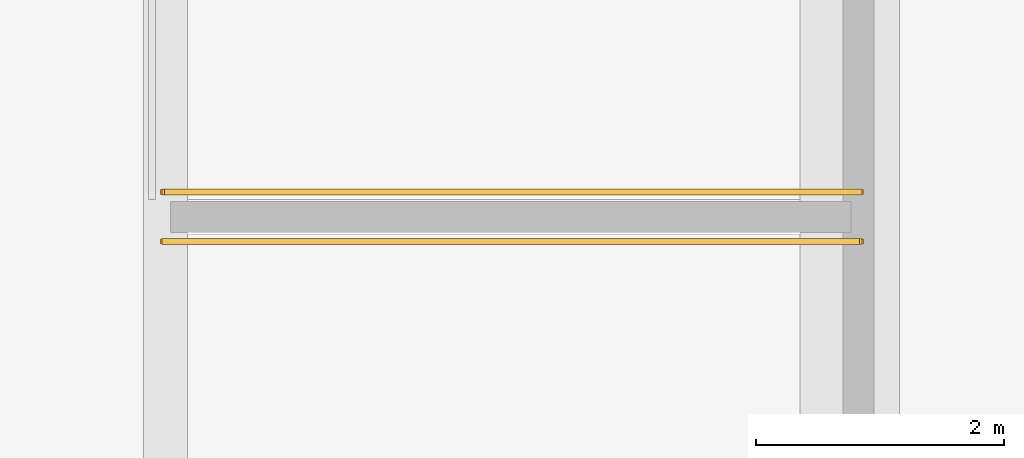
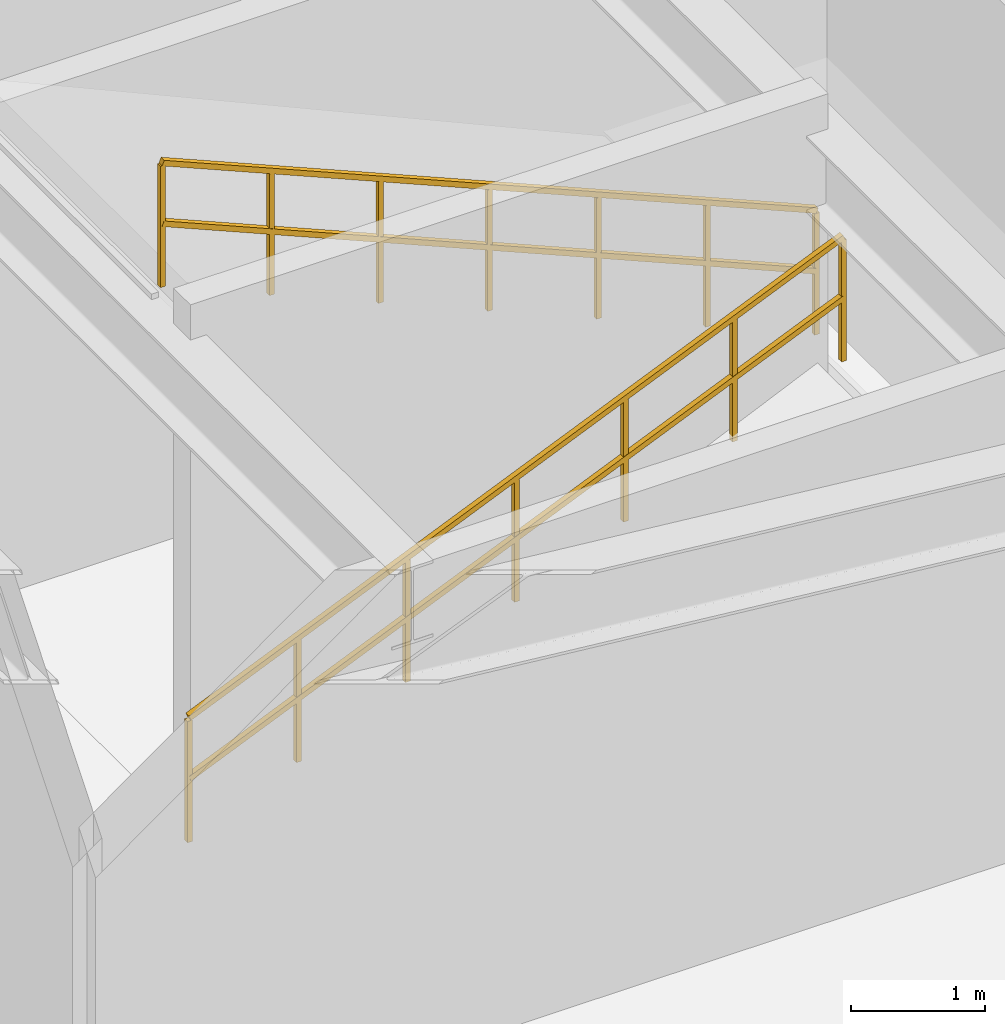
# One storey, part 11 of 12: 2 railings.
"""IFC4 building model written with IfcOpenShell, lengths in metres."""

import ifcopenshell
import ifcopenshell.guid

model = None  # the IFC model being written
_history = None  # IfcOwnerHistory: only IFC2X3 demands one
_inside = {}  # id of a spatial element -> (the spatial element, [elements in it])
_under = {}  # id of a project, library or spatial element -> (it, [spatial elements below it])
_declared = {}  # id of a project -> (the project, [libraries it declares])
_typed = {}  # id of a type object -> (the type object, [elements of that type])
_made_of = {}  # id of a material, layer set ... -> (it, [elements and type objects made of it])


def new_model(schema):
    """Start an empty IFC model of exactly this schema.

    Asked for "IFC4X3", IfcOpenShell would pick the latest addendum, in which some entities
    have other attributes; the version numbers below select the first issue.
    IFC2X3 requires an IfcOwnerHistory on every rooted entity: one is made here for all.
    """
    global model, _history
    if schema == "IFC4X3":
        model = ifcopenshell.file(schema_version=(4, 3, 0, 0))
    else:
        model = ifcopenshell.file(schema=schema)
    _inside.clear()
    _under.clear()
    _declared.clear()
    _typed.clear()
    _made_of.clear()
    _history = None
    if model.schema == "IFC2X3":
        org = make("IfcOrganization", Name="unknown")
        user = make(
            "IfcPersonAndOrganization",
            ThePerson=make("IfcPerson", FamilyName="unknown"),
            TheOrganization=org,
        )
        app = make(
            "IfcApplication",
            ApplicationDeveloper=org,
            Version="unknown",
            ApplicationFullName="unknown",
            ApplicationIdentifier="unknown",
        )
        _history = make(
            "IfcOwnerHistory",
            OwningUser=user,
            OwningApplication=app,
            ChangeAction="ADDED",
            CreationDate=0,
        )
    return model


def make(cls, **values):
    """One entity of the class cls with the attributes given. An attribute that is None is left unset."""
    return model.create_entity(
        cls, **{name: value for name, value in values.items() if value is not None}
    )


def rooted(cls, **values):
    """An entity with a GlobalId (a new one), such as an element, a storey or a relation."""
    return make(cls, GlobalId=ifcopenshell.guid.new(), OwnerHistory=_history, **values)


def si_unit(unit_type, name, prefix=None):
    """IfcSIUnit, for example si_unit("LENGTHUNIT", "METRE", prefix="MILLI")."""
    return make("IfcSIUnit", UnitType=unit_type, Prefix=prefix, Name=name)


def assignment(units):
    """IfcUnitAssignment: the units of a project."""
    return None if units is None else make("IfcUnitAssignment", Units=units)


def point(xyz):
    """IfcCartesianPoint."""
    return None if xyz is None else make("IfcCartesianPoint", Coordinates=xyz)


def direction(xyz):
    """IfcDirection."""
    return None if xyz is None else make("IfcDirection", DirectionRatios=xyz)


def frame(location, z_axis=None, x_axis=None):
    """IfcAxis2Placement3D, a coordinate frame: its origin and axes. An axis left out is left unset."""
    return make(
        "IfcAxis2Placement3D",
        Location=point(location),
        Axis=direction(z_axis),
        RefDirection=direction(x_axis),
    )


def frame_2d(location, x_axis=None):
    """IfcAxis2Placement2D, a coordinate frame in the plane: its origin and x axis."""
    return make(
        "IfcAxis2Placement2D", Location=point(location), RefDirection=direction(x_axis)
    )


def origin():
    """The frame at (0, 0, 0) with its axes left unset."""
    return frame((0.0, 0.0, 0.0))


def origin_2d():
    """The frame at (0, 0) in the plane with its x axis left unset."""
    return frame_2d((0.0, 0.0))


def place(relative_to, where):
    """IfcLocalPlacement: puts the frame where relative to a parent placement (None: the world)."""
    return make(
        "IfcLocalPlacement", PlacementRelTo=relative_to, RelativePlacement=where
    )


def context(
    kind, dimensions, precision=None, world=None, true_north=None, identifier=None
):
    """IfcGeometricRepresentationContext, for example the 3D "Model" context."""
    return make(
        "IfcGeometricRepresentationContext",
        ContextIdentifier=identifier,
        ContextType=kind,
        CoordinateSpaceDimension=dimensions,
        Precision=precision,
        WorldCoordinateSystem=world,
        TrueNorth=true_north,
    )


def subcontext(parent, identifier, kind, view, scale=None):
    """IfcGeometricRepresentationSubContext, for example "Body" below "Model"."""
    return make(
        "IfcGeometricRepresentationSubContext",
        ContextIdentifier=identifier,
        ContextType=kind,
        ParentContext=parent,
        TargetScale=scale,
        TargetView=view,
    )


def project(units=None, contexts=None):
    """IfcProject with its units and contexts."""
    return rooted(
        "IfcProject",
        Name="project",
        RepresentationContexts=contexts,
        UnitsInContext=assignment(units),
    )


def spatial(cls, under=None, at=None, **own):
    """A site, building, storey or space (cls), placed at a placement, below another one or the project."""
    s = rooted(cls, ObjectPlacement=at, **own)
    if under is not None:
        _under.setdefault(under.id(), (under, []))[1].append(s)
    return s


def profile(cls, at=None, kind="AREA", **sizes):
    """A parametric profile (cls). Its sizes go by their IFC names, for example OverallWidth=200.0."""
    return make(cls, ProfileType=kind, Position=at, **sizes)


def rectangle(**sizes):
    """IfcRectangleProfileDef."""
    return profile("IfcRectangleProfileDef", **sizes)


def extrude(swept, where, along, depth):
    """IfcExtrudedAreaSolid: the profile swept, set in the frame where, extruded along a direction by depth."""
    return make(
        "IfcExtrudedAreaSolid",
        SweptArea=swept,
        Position=where,
        ExtrudedDirection=direction(along),
        Depth=depth,
    )


def shape(context_of_items, identifier, shape_type, items):
    """IfcShapeRepresentation: the items that make up one representation, for example the "Body"."""
    return make(
        "IfcShapeRepresentation",
        ContextOfItems=context_of_items,
        RepresentationIdentifier=identifier,
        RepresentationType=shape_type,
        Items=items,
    )


def material(Name=None, Category=None):
    """IfcMaterial."""
    return make("IfcMaterial", Name=Name, Category=Category)


def made_of(thing, what):
    """Note that an element or type object is made of a material, layer set ...; save() writes the relation."""
    if what is not None:
        _made_of.setdefault(what.id(), (what, []))[1].append(thing)
    return thing


def type_object(cls, material=None, **own):
    """A type object (cls), such as IfcWallType, which elements share."""
    return made_of(rooted(cls, **own), material)


def element(
    cls,
    number,
    at=None,
    inside=None,
    cuts=None,
    type_object=None,
    material=None,
    context=None,
    identifier="Body",
    shape_type=None,
    held_by="IfcProductDefinitionShape",
    body=None,
    shapes=None,
    **own,
):
    """One element of the class cls, such as IfcWall. Its Tag is "e" and its number.

    at: its placement. inside: the storey or other place that contains it. cuts: it is an
    opening in that element (IfcRelVoidsElement). A single representation is given by context,
    identifier, shape_type and body (its items); several are given by shapes. held_by: the class
    of the entity that holds the representations. save() writes the other relations.
    """
    e = rooted(cls, Tag="e%d" % number, ObjectPlacement=at, **own)
    if body is not None:
        shapes = [shape(context, identifier, shape_type, body)]
    if shapes is not None:
        e.Representation = make(held_by, Representations=shapes)
    if inside is not None:
        _inside.setdefault(inside.id(), (inside, []))[1].append(e)
    if cuts is not None:
        rooted(
            "IfcRelVoidsElement", RelatingBuildingElement=cuts, RelatedOpeningElement=e
        )
    if type_object is not None:
        _typed.setdefault(type_object.id(), (type_object, []))[1].append(e)
    return made_of(e, material)


def aggregate(whole, parts):
    """IfcRelAggregates: a whole, such as a stair, and the parts it consists of."""
    return rooted("IfcRelAggregates", RelatingObject=whole, RelatedObjects=parts)


def save(model, path):
    """Write the relations noted so far, then the file.

    IfcRelAggregates (storeys below a building ...), IfcRelContainedInSpatialStructure (elements
    in a storey), IfcRelDefinesByType, IfcRelAssociatesMaterial and IfcRelDeclares: one each for
    every whole, place, type object, material and project.
    """
    for whole, parts in _under.values():
        aggregate(whole, parts)
    for where, things in _inside.values():
        rooted(
            "IfcRelContainedInSpatialStructure",
            RelatedElements=things,
            RelatingStructure=where,
        )
    for kind, things in _typed.values():
        rooted("IfcRelDefinesByType", RelatedObjects=things, RelatingType=kind)
    for what, things in _made_of.values():
        rooted("IfcRelAssociatesMaterial", RelatedObjects=things, RelatingMaterial=what)
    for by, libraries in _declared.values():
        rooted("IfcRelDeclares", RelatingContext=by, RelatedDefinitions=libraries)
    model.write(path)


model = new_model("IFC4")

# Units and contexts
model_context = context("Model", 3, precision=1e-05, world=origin(), true_north=direction((0.0, 1.0)))
body_context = subcontext(model_context, "Body", "Model", "MODEL_VIEW")
ifc_project = project(units=[si_unit("LENGTHUNIT", "METRE"), si_unit("AREAUNIT", "SQUARE_METRE"), si_unit("VOLUMEUNIT", "CUBIC_METRE"), si_unit("PLANEANGLEUNIT", "RADIAN"), si_unit("MASSUNIT", "GRAM", prefix="KILO")], contexts=[model_context])

# Site, building, storey
site_placement = place(None, origin())
site = spatial("IfcSite", under=ifc_project, at=site_placement, CompositionType="ELEMENT")
building_placement = place(site_placement, origin())
building = spatial("IfcBuilding", under=site, at=building_placement, Name="Varnel Quay Broadcast Tower", CompositionType="ELEMENT")
storey_placement = place(building_placement, frame((0.0, 0.0, -9.60009765625)))
storey = spatial("IfcBuildingStorey", under=building, at=storey_placement, Name="B2", CompositionType="ELEMENT", Elevation=-9.60009765625)

# Railings
ifc_material = material(Name="Anodised Bronze Aluminium 6063-T6", Category="aluminium")
railing_type = type_object("IfcRailingType", Name="Rail_Balustrade1150", PredefinedType="BALUSTRADE", material=ifc_material)
railing_1_placement = place(storey_placement, frame((60.02001953125, 30.219970703125, 4.800048828125)))
element("IfcRailing", 1, at=railing_1_placement, inside=storey, type_object=railing_type, Name="B2 Vehicle Ramp Upper Flight Guard", PredefinedType="BALUSTRADE", context=body_context, shape_type="SweptSolid", body=[
    extrude(rectangle(XDim=0.048095703125, YDim=0.048095703125, at=origin_2d()), frame((0.0, 0.0, 1.1259765625), z_axis=(0.919654679425, 0.0, -0.392727985523), x_axis=(0.0, 1.0, 0.0)), (0.0, 0.0, 1.0), 6.11083984375),
    extrude(rectangle(XDim=0.048095703125, YDim=0.048095703125, at=origin_2d()), frame((0.0, 0.0, 0.574951171875), z_axis=(0.919654679425, 0.0, -0.392727985523), x_axis=(0.0, 1.0, 0.0)), (0.0, 0.0, 1.0), 6.11083984375),
    extrude(rectangle(XDim=0.0419921875, YDim=0.0419921875, at=origin_2d()), origin(), (0.0, 0.0, 1.0), 1.101806640625),
    extrude(rectangle(XDim=0.0419921875, YDim=0.0419921875, at=origin_2d()), frame((0.9365234375, 0.0, -0.39990234375)), (0.0, 0.0, 1.0), 1.101806640625),
    extrude(rectangle(XDim=0.0419921875, YDim=0.0419921875, at=origin_2d()), frame((1.873291015625, 0.0, -0.800048828125)), (0.0, 0.0, 1.0), 1.101806640625),
    extrude(rectangle(XDim=0.0419921875, YDim=0.0419921875, at=origin_2d()), frame((2.81005859375, 0.0, -1.199951171875)), (0.0, 0.0, 1.0), 1.101806640625),
    extrude(rectangle(XDim=0.0419921875, YDim=0.0419921875, at=origin_2d()), frame((3.74658203125, 0.0, -1.599853515625)), (0.0, 0.0, 1.0), 1.101806640625),
    extrude(rectangle(XDim=0.0419921875, YDim=0.0419921875, at=origin_2d()), frame((4.68310546875, 0.0, -2.0)), (0.0, 0.0, 1.0), 1.101806640625),
    extrude(rectangle(XDim=0.0419921875, YDim=0.0419921875, at=origin_2d()), frame((5.619873046875, 0.0, -2.39990234375)), (0.0, 0.0, 1.0), 1.101806640625),
])
railing_2_placement = place(storey_placement, frame((65.639892578125, 29.820068359375, 2.400146484375)))
element("IfcRailing", 2, at=railing_2_placement, inside=storey, type_object=railing_type, Name="B2 Vehicle Ramp Lower Flight Guard", PredefinedType="BALUSTRADE", context=body_context, shape_type="SweptSolid", body=[
    extrude(rectangle(XDim=0.048095703125, YDim=0.048095703125, at=origin_2d()), frame((0.0, 0.0, 1.1259765625), z_axis=(-0.919640249408, 0.0, -0.392761774705), x_axis=(0.0, -1.0, 0.0)), (0.0, 0.0, 1.0), 6.11083984375),
    extrude(rectangle(XDim=0.048095703125, YDim=0.048095703125, at=origin_2d()), frame((0.0, 0.0, 0.574951171875), z_axis=(-0.919640249408, 0.0, -0.392761774705), x_axis=(0.0, -1.0, 0.0)), (0.0, 0.0, 1.0), 6.11083984375),
    extrude(rectangle(XDim=0.0419921875, YDim=0.0419921875, at=origin_2d()), origin(), (0.0, 0.0, 1.0), 1.101806640625),
    extrude(rectangle(XDim=0.0419921875, YDim=0.0419921875, at=origin_2d()), frame((-0.9365234375, 0.0, -0.39990234375)), (0.0, 0.0, 1.0), 1.101806640625),
    extrude(rectangle(XDim=0.0419921875, YDim=0.0419921875, at=origin_2d()), frame((-1.873291015625, 0.0, -0.800048828125)), (0.0, 0.0, 1.0), 1.101806640625),
    extrude(rectangle(XDim=0.0419921875, YDim=0.0419921875, at=origin_2d()), frame((-2.81005859375, 0.0, -1.2001953125)), (0.0, 0.0, 1.0), 1.101806640625),
    extrude(rectangle(XDim=0.0419921875, YDim=0.0419921875, at=origin_2d()), frame((-3.74658203125, 0.0, -1.60009765625)), (0.0, 0.0, 1.0), 1.101806640625),
    extrude(rectangle(XDim=0.0419921875, YDim=0.0419921875, at=origin_2d()), frame((-4.68310546875, 0.0, -2.0)), (0.0, 0.0, 1.0), 1.101806640625),
    extrude(rectangle(XDim=0.0419921875, YDim=0.0419921875, at=origin_2d()), frame((-5.619873046875, 0.0, -2.400146484375)), (0.0, 0.0, 1.0), 1.101806640625),
])

save(model, "model.ifc")
